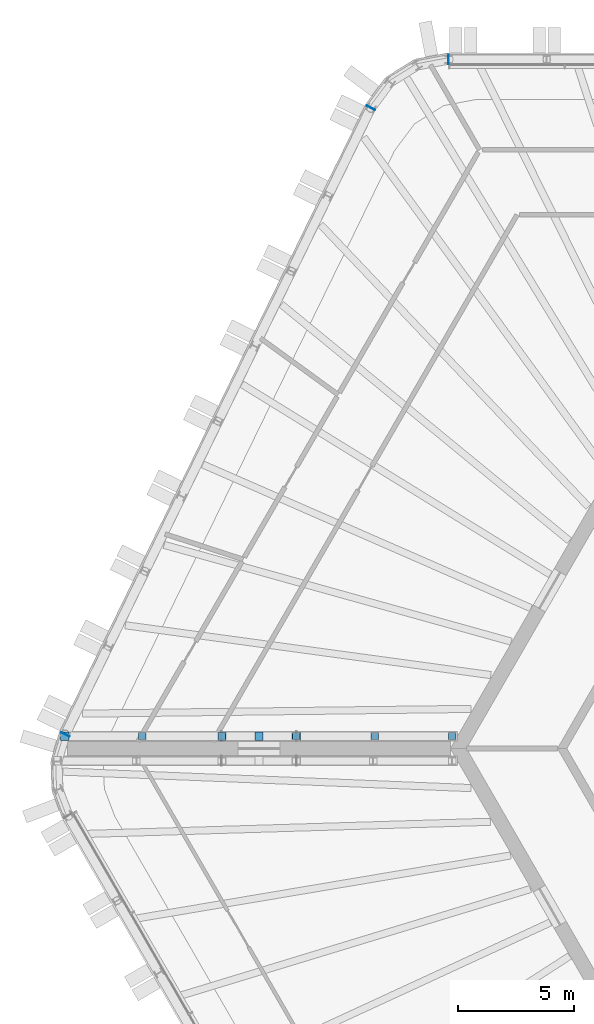
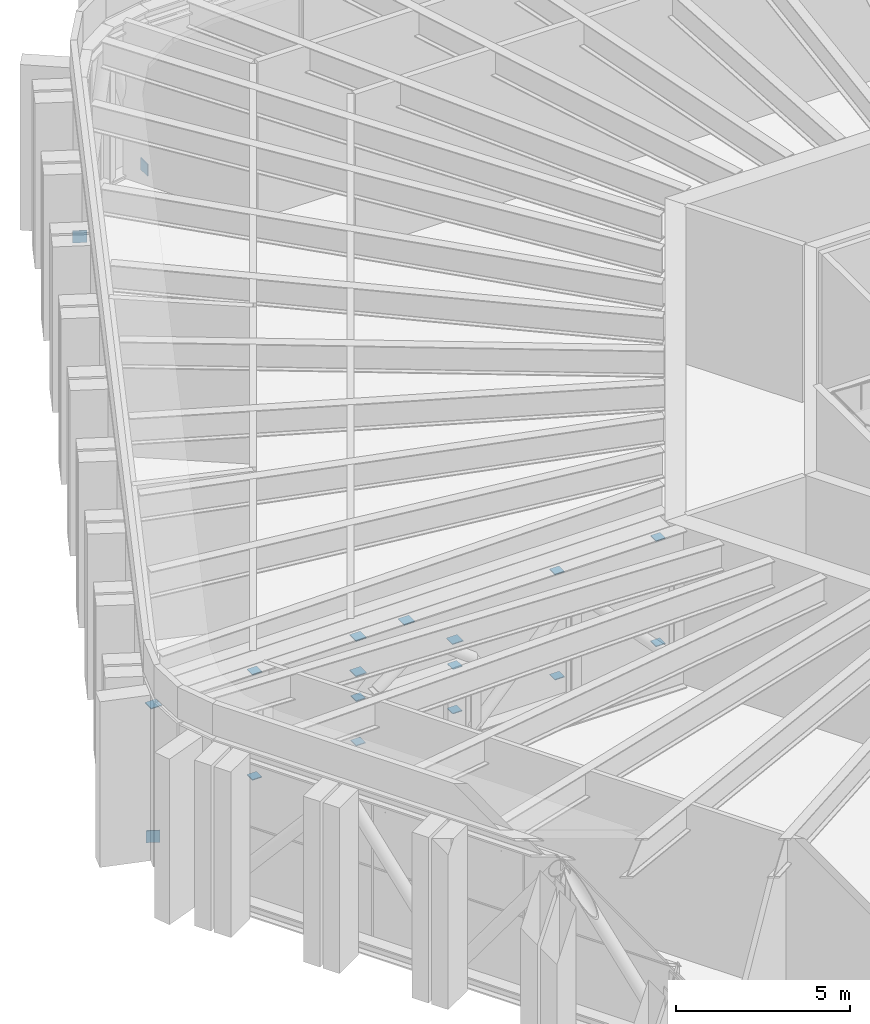
# One storey, part 23 of 27: 18 discrete accessories.
"""IFC4 building model written with IfcOpenShell, lengths in metres."""

import ifcopenshell
import ifcopenshell.guid

model = None  # the IFC model being written
_history = None  # IfcOwnerHistory: only IFC2X3 demands one
_inside = {}  # id of a spatial element -> (the spatial element, [elements in it])
_under = {}  # id of a project, library or spatial element -> (it, [spatial elements below it])
_declared = {}  # id of a project -> (the project, [libraries it declares])
_typed = {}  # id of a type object -> (the type object, [elements of that type])
_made_of = {}  # id of a material, layer set ... -> (it, [elements and type objects made of it])


def new_model(schema):
    """Start an empty IFC model of exactly this schema.

    Asked for "IFC4X3", IfcOpenShell would pick the latest addendum, in which some entities
    have other attributes; the version numbers below select the first issue.
    IFC2X3 requires an IfcOwnerHistory on every rooted entity: one is made here for all.
    """
    global model, _history
    if schema == "IFC4X3":
        model = ifcopenshell.file(schema_version=(4, 3, 0, 0))
    else:
        model = ifcopenshell.file(schema=schema)
    _inside.clear()
    _under.clear()
    _declared.clear()
    _typed.clear()
    _made_of.clear()
    _history = None
    if model.schema == "IFC2X3":
        org = make("IfcOrganization", Name="unknown")
        user = make(
            "IfcPersonAndOrganization",
            ThePerson=make("IfcPerson", FamilyName="unknown"),
            TheOrganization=org,
        )
        app = make(
            "IfcApplication",
            ApplicationDeveloper=org,
            Version="unknown",
            ApplicationFullName="unknown",
            ApplicationIdentifier="unknown",
        )
        _history = make(
            "IfcOwnerHistory",
            OwningUser=user,
            OwningApplication=app,
            ChangeAction="ADDED",
            CreationDate=0,
        )
    return model


def make(cls, **values):
    """One entity of the class cls with the attributes given. An attribute that is None is left unset."""
    return model.create_entity(
        cls, **{name: value for name, value in values.items() if value is not None}
    )


def rooted(cls, **values):
    """An entity with a GlobalId (a new one), such as an element, a storey or a relation."""
    return make(cls, GlobalId=ifcopenshell.guid.new(), OwnerHistory=_history, **values)


def si_unit(unit_type, name, prefix=None):
    """IfcSIUnit, for example si_unit("LENGTHUNIT", "METRE", prefix="MILLI")."""
    return make("IfcSIUnit", UnitType=unit_type, Prefix=prefix, Name=name)


def assignment(units):
    """IfcUnitAssignment: the units of a project."""
    return None if units is None else make("IfcUnitAssignment", Units=units)


def point(xyz):
    """IfcCartesianPoint."""
    return None if xyz is None else make("IfcCartesianPoint", Coordinates=xyz)


def direction(xyz):
    """IfcDirection."""
    return None if xyz is None else make("IfcDirection", DirectionRatios=xyz)


def frame(location, z_axis=None, x_axis=None):
    """IfcAxis2Placement3D, a coordinate frame: its origin and axes. An axis left out is left unset."""
    return make(
        "IfcAxis2Placement3D",
        Location=point(location),
        Axis=direction(z_axis),
        RefDirection=direction(x_axis),
    )


def frame_2d(location, x_axis=None):
    """IfcAxis2Placement2D, a coordinate frame in the plane: its origin and x axis."""
    return make(
        "IfcAxis2Placement2D", Location=point(location), RefDirection=direction(x_axis)
    )


def origin():
    """The frame at (0, 0, 0) with its axes left unset."""
    return frame((0.0, 0.0, 0.0))


def origin_2d():
    """The frame at (0, 0) in the plane with its x axis left unset."""
    return frame_2d((0.0, 0.0))


def place(relative_to, where):
    """IfcLocalPlacement: puts the frame where relative to a parent placement (None: the world)."""
    return make(
        "IfcLocalPlacement", PlacementRelTo=relative_to, RelativePlacement=where
    )


def context(
    kind, dimensions, precision=None, world=None, true_north=None, identifier=None
):
    """IfcGeometricRepresentationContext, for example the 3D "Model" context."""
    return make(
        "IfcGeometricRepresentationContext",
        ContextIdentifier=identifier,
        ContextType=kind,
        CoordinateSpaceDimension=dimensions,
        Precision=precision,
        WorldCoordinateSystem=world,
        TrueNorth=true_north,
    )


def subcontext(parent, identifier, kind, view, scale=None):
    """IfcGeometricRepresentationSubContext, for example "Body" below "Model"."""
    return make(
        "IfcGeometricRepresentationSubContext",
        ContextIdentifier=identifier,
        ContextType=kind,
        ParentContext=parent,
        TargetScale=scale,
        TargetView=view,
    )


def project(units=None, contexts=None):
    """IfcProject with its units and contexts."""
    return rooted(
        "IfcProject",
        Name="project",
        RepresentationContexts=contexts,
        UnitsInContext=assignment(units),
    )


def spatial(cls, under=None, at=None, **own):
    """A site, building, storey or space (cls), placed at a placement, below another one or the project."""
    s = rooted(cls, ObjectPlacement=at, **own)
    if under is not None:
        _under.setdefault(under.id(), (under, []))[1].append(s)
    return s


def profile(cls, at=None, kind="AREA", **sizes):
    """A parametric profile (cls). Its sizes go by their IFC names, for example OverallWidth=200.0."""
    return make(cls, ProfileType=kind, Position=at, **sizes)


def rectangle(**sizes):
    """IfcRectangleProfileDef."""
    return profile("IfcRectangleProfileDef", **sizes)


def extrude(swept, where, along, depth):
    """IfcExtrudedAreaSolid: the profile swept, set in the frame where, extruded along a direction by depth."""
    return make(
        "IfcExtrudedAreaSolid",
        SweptArea=swept,
        Position=where,
        ExtrudedDirection=direction(along),
        Depth=depth,
    )


def shape(context_of_items, identifier, shape_type, items):
    """IfcShapeRepresentation: the items that make up one representation, for example the "Body"."""
    return make(
        "IfcShapeRepresentation",
        ContextOfItems=context_of_items,
        RepresentationIdentifier=identifier,
        RepresentationType=shape_type,
        Items=items,
    )


def material(Name=None, Category=None):
    """IfcMaterial."""
    return make("IfcMaterial", Name=Name, Category=Category)


def made_of(thing, what):
    """Note that an element or type object is made of a material, layer set ...; save() writes the relation."""
    if what is not None:
        _made_of.setdefault(what.id(), (what, []))[1].append(thing)
    return thing


def type_object(cls, material=None, **own):
    """A type object (cls), such as IfcWallType, which elements share."""
    return made_of(rooted(cls, **own), material)


def element(
    cls,
    number,
    at=None,
    inside=None,
    cuts=None,
    type_object=None,
    material=None,
    context=None,
    identifier="Body",
    shape_type=None,
    held_by="IfcProductDefinitionShape",
    body=None,
    shapes=None,
    **own,
):
    """One element of the class cls, such as IfcWall. Its Tag is "e" and its number.

    at: its placement. inside: the storey or other place that contains it. cuts: it is an
    opening in that element (IfcRelVoidsElement). A single representation is given by context,
    identifier, shape_type and body (its items); several are given by shapes. held_by: the class
    of the entity that holds the representations. save() writes the other relations.
    """
    e = rooted(cls, Tag="e%d" % number, ObjectPlacement=at, **own)
    if body is not None:
        shapes = [shape(context, identifier, shape_type, body)]
    if shapes is not None:
        e.Representation = make(held_by, Representations=shapes)
    if inside is not None:
        _inside.setdefault(inside.id(), (inside, []))[1].append(e)
    if cuts is not None:
        rooted(
            "IfcRelVoidsElement", RelatingBuildingElement=cuts, RelatedOpeningElement=e
        )
    if type_object is not None:
        _typed.setdefault(type_object.id(), (type_object, []))[1].append(e)
    return made_of(e, material)


def aggregate(whole, parts):
    """IfcRelAggregates: a whole, such as a stair, and the parts it consists of."""
    return rooted("IfcRelAggregates", RelatingObject=whole, RelatedObjects=parts)


def save(model, path):
    """Write the relations noted so far, then the file.

    IfcRelAggregates (storeys below a building ...), IfcRelContainedInSpatialStructure (elements
    in a storey), IfcRelDefinesByType, IfcRelAssociatesMaterial and IfcRelDeclares: one each for
    every whole, place, type object, material and project.
    """
    for whole, parts in _under.values():
        aggregate(whole, parts)
    for where, things in _inside.values():
        rooted(
            "IfcRelContainedInSpatialStructure",
            RelatedElements=things,
            RelatingStructure=where,
        )
    for kind, things in _typed.values():
        rooted("IfcRelDefinesByType", RelatedObjects=things, RelatingType=kind)
    for what, things in _made_of.values():
        rooted("IfcRelAssociatesMaterial", RelatedObjects=things, RelatingMaterial=what)
    for by, libraries in _declared.values():
        rooted("IfcRelDeclares", RelatingContext=by, RelatedDefinitions=libraries)
    model.write(path)


model = new_model("IFC4")

# Units and contexts
model_context = context("Model", 3, precision=1e-05, world=origin(), true_north=direction((0.0, 1.0)))
body_context = subcontext(model_context, "Body", "Model", "MODEL_VIEW")
ifc_project = project(units=[si_unit("LENGTHUNIT", "METRE"), si_unit("AREAUNIT", "SQUARE_METRE"), si_unit("VOLUMEUNIT", "CUBIC_METRE"), si_unit("PLANEANGLEUNIT", "RADIAN"), si_unit("MASSUNIT", "GRAM", prefix="KILO")], contexts=[model_context])

# Site, building, storey
site_placement = place(None, origin())
site = spatial("IfcSite", under=ifc_project, at=site_placement, CompositionType="ELEMENT")
building_placement = place(site_placement, origin())
building = spatial("IfcBuilding", under=site, at=building_placement, Name="Tarnside Tower", CompositionType="ELEMENT")
storey_placement = place(building_placement, frame((0.0, 0.0, 146.699951171875)))
storey = spatial("IfcBuildingStorey", under=building, at=storey_placement, Name="L34", CompositionType="ELEMENT", Elevation=146.699951171875)

# Discrete accessories
ifc_material = material(Name="Steel S355", Category="steel")
discrete_accessory_type_1 = type_object("IfcDiscreteAccessoryType", Name="Cast-in plate L34 belt truss chord end", PredefinedType="USERDEFINED", material=ifc_material)
for number, where, z_axis, x_axis, name in (
    (1, (-16.24658203125, 29.72509765625, -0.2998046875), (0.0, 0.0, 1.0), (-1.0, 0.0, 0.0), "Cast-in plate run L34 B"),
    (2, (-19.594482421875, 27.6328125, -0.2998046875), (0.0, 0.0, 1.0), (-0.438371146789, -0.898794046299, 0.0), "Cast-in plate run L34 A"),
    (3, (-32.77685546875, 0.605224609375, -0.2998046875), (0.0, 0.0, 1.0), (-0.438371146789, -0.898794046299, 0.0), "Cast-in plate run L34 B"),
):
    element("IfcDiscreteAccessory", number, at=place(storey_placement, frame(where, z_axis=z_axis, x_axis=x_axis)), inside=storey, type_object=discrete_accessory_type_1, Name=name, ObjectType="Cast-in plate", PredefinedType="USERDEFINED", context=body_context, shape_type="SweptSolid", body=[
        extrude(rectangle(XDim=0.030029296875, YDim=0.406982421875, at=origin_2d()), origin(), (0.0, 0.0, 1.0), 0.4189453125),
    ])
discrete_accessory_type_2 = type_object("IfcDiscreteAccessoryType", Name="Gusset plate L34 outrigger end 314", PredefinedType="USERDEFINED", material=ifc_material)
for number, where, z_axis, x_axis, name in (
    (4, (-16.08984375, 0.5302734375, 0.89111328125), (0.0, 0.0, 1.0), (1.0, 0.0, 0.0), "Gusset plate 54 L34"),
    (5, (-16.08984375, 0.5302734375, 4.5791015625), (0.0, 0.0, 1.0), (1.0, 0.0, 0.0), "Gusset plate 55 L34"),
    (6, (-19.431884765625, 0.5302734375, 0.89111328125), (0.0, 0.0, 1.0), (1.0, 0.0, 0.0), "Gusset plate 56 L34"),
    (7, (-19.431884765625, 0.5302734375, 4.5791015625), (0.0, 0.0, 1.0), (1.0, 0.0, 0.0), "Gusset plate 57 L34"),
    (8, (-22.8193359375, 0.5302734375, 0.89111328125), (0.0, 0.0, 1.0), (1.0, 0.0, 0.0), "Gusset plate 58 L34"),
    (9, (-22.8193359375, 0.5302734375, 2.4501953125), (0.0, 0.0, 1.0), (1.0, 0.0, 0.0), "Gusset plate 59 L34"),
    (10, (-26.021484375, 0.5302734375, 0.89111328125), (0.0, 0.0, 1.0), (1.0, 0.0, 0.0), "Gusset plate 60 L34"),
    (11, (-26.021484375, 0.5302734375, 2.4501953125), (0.0, 0.0, 1.0), (1.0, 0.0, 0.0), "Gusset plate 61 L34"),
    (12, (-29.45751953125, 0.5302734375, 0.89111328125), (0.0, 0.0, 1.0), (1.0, 0.0, 0.0), "Gusset plate 62 L34"),
    (13, (-29.45751953125, 0.5302734375, 4.5791015625), (0.0, 0.0, 1.0), (1.0, 0.0, 0.0), "Gusset plate 63 L34"),
):
    element("IfcDiscreteAccessory", number, at=place(storey_placement, frame(where, z_axis=z_axis, x_axis=x_axis)), inside=storey, type_object=discrete_accessory_type_2, Name=name, ObjectType="Gusset plate", PredefinedType="USERDEFINED", context=body_context, shape_type="SweptSolid", body=[
        extrude(rectangle(XDim=0.314453125, YDim=0.314453125, at=origin_2d()), origin(), (0.0, 0.0, 1.0), 0.030029296875),
    ])
discrete_accessory_type_3 = type_object("IfcDiscreteAccessoryType", Name="Gusset plate L34 outrigger end 356", PredefinedType="USERDEFINED", material=ifc_material)
for number, where, z_axis, x_axis, name in (
    (14, (-22.8193359375, 0.5302734375, 3.3408203125), (0.0, 0.0, 1.0), (1.0, 0.0, 0.0), "Gusset plate 64 L34"),
    (15, (-24.42041015625, 0.5302734375, 4.5791015625), (0.0, 0.0, 1.0), (1.0, 0.0, 0.0), "Gusset plate 65 L34"),
    (16, (-26.021484375, 0.5302734375, 3.3408203125), (0.0, 0.0, 1.0), (1.0, 0.0, 0.0), "Gusset plate 66 L34"),
    (17, (-26.021484375, 0.5302734375, 4.5791015625), (0.0, 0.0, 1.0), (1.0, 0.0, 0.0), "Gusset plate 67 L34"),
    (18, (-32.79931640625, 0.5302734375, 4.5791015625), (0.0, 0.0, 1.0), (1.0, 0.0, 0.0), "Gusset plate 68 L34"),
):
    element("IfcDiscreteAccessory", number, at=place(storey_placement, frame(where, z_axis=z_axis, x_axis=x_axis)), inside=storey, type_object=discrete_accessory_type_3, Name=name, ObjectType="Gusset plate", PredefinedType="USERDEFINED", context=body_context, shape_type="SweptSolid", body=[
        extrude(rectangle(XDim=0.355712890625, YDim=0.355712890625, at=origin_2d()), origin(), (0.0, 0.0, 1.0), 0.030029296875),
    ])

save(model, "model.ifc")
